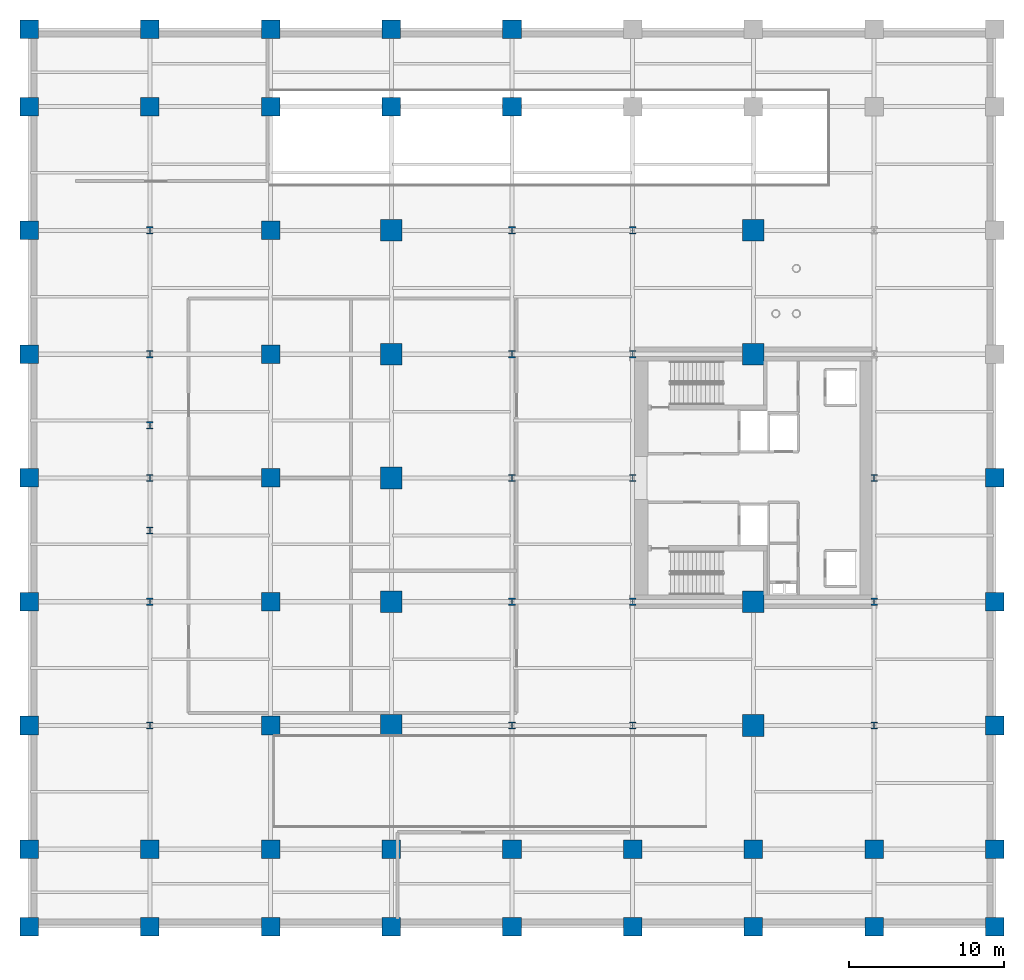
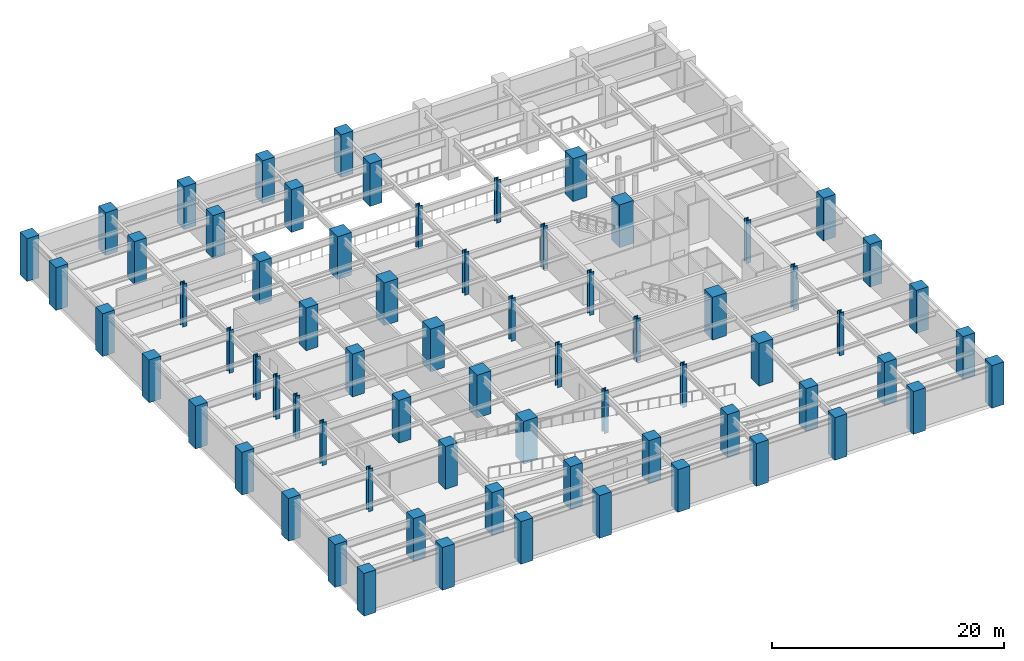
# One storey, part 1 of 10: 70 columns.
"""IFC4 building model written with IfcOpenShell, lengths in metres."""

from ifc_helpers import new_model, si_unit, direction, frame, origin, origin_2d, place, context, subcontext, project, spatial, rectangle, i_section, extrude, material, material_profile, profile_set, type_object, element, save


model = new_model("IFC4")

# Units and contexts
model_context = context("Model", 3, precision=1e-05, world=origin(), true_north=direction((0.0, 1.0)))
body_context = subcontext(model_context, "Body", "Model", "MODEL_VIEW")
ifc_project = project(units=[si_unit("LENGTHUNIT", "METRE"), si_unit("AREAUNIT", "SQUARE_METRE"), si_unit("VOLUMEUNIT", "CUBIC_METRE"), si_unit("PLANEANGLEUNIT", "RADIAN"), si_unit("MASSUNIT", "GRAM", prefix="KILO")], contexts=[model_context])

# Site, building, storey
site_placement = place(None, origin())
site = spatial("IfcSite", under=ifc_project, at=site_placement, CompositionType="ELEMENT")
building_placement = place(site_placement, origin())
building = spatial("IfcBuilding", under=site, at=building_placement, Name="Veymaron Broadcast Tower", CompositionType="ELEMENT")
storey_placement = place(building_placement, frame((0.0, 0.0, -4.5)))
storey = spatial("IfcBuildingStorey", under=building, at=storey_placement, Name="B1", CompositionType="ELEMENT", Elevation=-4.5)

# Columns
ifc_material_1 = material(Name="Structural steel ASTM A913 Gr 65", Category="steel")
ifc_material_profile_1 = material_profile(ifc_material_1, i_section(OverallWidth=0.424072265625, OverallDepth=0.47412109375, WebThickness=0.047607421875, FlangeThickness=0.076904296875, at=origin_2d()), Name="W360X634")
ifc_profile_set_1 = profile_set([ifc_material_profile_1], Name="Structural steel ASTM A913 Gr 65")
column_type_1 = type_object("IfcColumnType", Name="COL-MC1", PredefinedType="COLUMN", material=ifc_profile_set_1)
for number, where, z_axis, x_axis, name in (
    (1, (7.800048828125, 8.0, 0.0), (0.0, 0.0, 1.0), (1.0, 0.0, 0.0), "B1 column (7.8, 8.0)"),
    (2, (7.800048828125, 16.0, 0.0), (0.0, 0.0, 1.0), (1.0, 0.0, 0.0), "B1 column (7.8, 16.0)"),
    (3, (7.800048828125, 24.0, 0.0), (0.0, 0.0, 1.0), (1.0, 0.0, 0.0), "B1 column (7.8, 24.0)"),
    (4, (7.800048828125, 32.0, 0.0), (0.0, 0.0, 1.0), (1.0, 0.0, 0.0), "B1 column (7.8, 32.0)"),
    (5, (7.800048828125, 40.0, 0.0), (0.0, 0.0, 1.0), (1.0, 0.0, 0.0), "B1 column (7.8, 40.0)"),
    (6, (31.199951171875, 8.0, 0.0), (0.0, 0.0, 1.0), (1.0, 0.0, 0.0), "B1 column (31.2, 8.0)"),
    (7, (31.199951171875, 16.0, 0.0), (0.0, 0.0, 1.0), (1.0, 0.0, 0.0), "B1 column (31.2, 16.0)"),
    (8, (31.199951171875, 24.0, 0.0), (0.0, 0.0, 1.0), (1.0, 0.0, 0.0), "B1 column (31.2, 24.0)"),
    (9, (31.199951171875, 32.0, 0.0), (0.0, 0.0, 1.0), (1.0, 0.0, 0.0), "B1 column (31.2, 32.0)"),
    (10, (31.199951171875, 40.0, 0.0), (0.0, 0.0, 1.0), (1.0, 0.0, 0.0), "B1 column (31.2, 40.0)"),
    (11, (39.0, 8.0, 0.0), (0.0, 0.0, 1.0), (1.0, 0.0, 0.0), "B1 column (39.0, 8.0)"),
    (12, (39.0, 16.0, 0.0), (0.0, 0.0, 1.0), (1.0, 0.0, 0.0), "B1 column (39.0, 16.0)"),
    (13, (39.0, 24.0, 0.0), (0.0, 0.0, 1.0), (1.0, 0.0, 0.0), "B1 column (39.0, 24.0)"),
    (14, (39.0, 32.0, 0.0), (0.0, 0.0, 1.0), (1.0, 0.0, 0.0), "B1 column (39.0, 32.0)"),
    (15, (39.0, 40.0, 0.0), (0.0, 0.0, 1.0), (1.0, 0.0, 0.0), "B1 column (39.0, 40.0)"),
    (16, (54.60009765625, 8.0, 0.0), (0.0, 0.0, 1.0), (1.0, 0.0, 0.0), "B1 column (54.6, 8.0)"),
    (17, (54.60009765625, 16.0, 0.0), (0.0, 0.0, 1.0), (1.0, 0.0, 0.0), "B1 column (54.6, 16.0)"),
    (18, (54.60009765625, 24.0, 0.0), (0.0, 0.0, 1.0), (1.0, 0.0, 0.0), "B1 column (54.6, 24.0)"),
):
    element("IfcColumn", number, at=place(storey_placement, frame(where, z_axis=z_axis, x_axis=x_axis)), inside=storey, type_object=column_type_1, Name=name, PredefinedType="COLUMN", context=body_context, shape_type="SweptSolid", body=[
        extrude(i_section(OverallWidth=0.424072265625, OverallDepth=0.47412109375, WebThickness=0.047607421875, FlangeThickness=0.076904296875, at=origin_2d()), origin(), (0.0, 0.0, 1.0), 4.4951171875),
    ])
for number, where, z_axis, x_axis, name in (
    (19, (7.800048828125, 20.60009765625, 0.0), (0.0, 0.0, 1.0), (1.0, 0.0, 0.0), "B1 Mega Column podium base"),
    (20, (7.800048828125, 27.39990234375, 0.0), (0.0, 0.0, 1.0), (1.0, 0.0, 0.0), "B1 Mega Column podium base"),
):
    element("IfcColumn", number, at=place(storey_placement, frame(where, z_axis=z_axis, x_axis=x_axis)), inside=storey, type_object=column_type_1, Name=name, PredefinedType="COLUMN", context=body_context, shape_type="SweptSolid", body=[
        extrude(i_section(OverallWidth=0.424072265625, OverallDepth=0.47412109375, WebThickness=0.047607421875, FlangeThickness=0.076904296875, at=origin_2d()), origin(), (0.0, 0.0, 1.0), 4.493896484375),
    ])
ifc_material_2 = material(Name="Concrete C70/85", Category="concrete")
ifc_material_profile_2 = material_profile(ifc_material_2, rectangle(XDim=1.39990234375, YDim=1.39990234375, at=origin_2d()), Name="RC1400X1400")
ifc_profile_set_2 = profile_set([ifc_material_profile_2], Name="Concrete C70/85")
column_type_2 = type_object("IfcColumnType", Name="COL-RC1", PredefinedType="COLUMN", material=ifc_profile_set_2)
for number, where, z_axis, x_axis, name in (
    (21, (23.39990234375, 8.0, 0.0), (0.0, 0.0, 1.0), (1.0, 0.0, 0.0), "B1 column (23.4, 8.0)"),
    (22, (23.39990234375, 16.0, 0.0), (0.0, 0.0, 1.0), (1.0, 0.0, 0.0), "B1 column (23.4, 16.0)"),
    (23, (23.39990234375, 24.0, 0.0), (0.0, 0.0, 1.0), (1.0, 0.0, 0.0), "B1 column (23.4, 24.0)"),
    (24, (23.39990234375, 32.0, 0.0), (0.0, 0.0, 1.0), (1.0, 0.0, 0.0), "B1 column (23.4, 32.0)"),
    (25, (23.39990234375, 40.0, 0.0), (0.0, 0.0, 1.0), (1.0, 0.0, 0.0), "B1 column (23.4, 40.0)"),
    (26, (46.800048828125, 8.0, 0.0), (0.0, 0.0, 1.0), (1.0, 0.0, 0.0), "B1 column (46.8, 8.0)"),
    (27, (46.800048828125, 16.0, 0.0), (0.0, 0.0, 1.0), (1.0, 0.0, 0.0), "B1 column (46.8, 16.0)"),
    (28, (46.800048828125, 32.0, 0.0), (0.0, 0.0, 1.0), (1.0, 0.0, 0.0), "B1 column (46.8, 32.0)"),
    (29, (46.800048828125, 40.0, 0.0), (0.0, 0.0, 1.0), (1.0, 0.0, 0.0), "B1 column (46.8, 40.0)"),
):
    element("IfcColumn", number, at=place(storey_placement, frame(where, z_axis=z_axis, x_axis=x_axis)), inside=storey, type_object=column_type_2, Name=name, PredefinedType="COLUMN", context=body_context, shape_type="SweptSolid", body=[
        extrude(rectangle(XDim=1.39990234375, YDim=1.39990234375, at=origin_2d()), origin(), (0.0, 0.0, 1.0), 4.4951171875),
    ])
ifc_material_3 = material(Name="Concrete C60/75", Category="concrete")
ifc_material_profile_3 = material_profile(ifc_material_3, rectangle(XDim=1.199951171875, YDim=1.199951171875, at=origin_2d()), Name="RC1200X1200")
ifc_profile_set_3 = profile_set([ifc_material_profile_3], Name="Concrete C60/75")
column_type_3 = type_object("IfcColumnType", Name="COL-RC2", PredefinedType="COLUMN", material=ifc_profile_set_3)
for number, where, z_axis, x_axis, name in (
    (30, (0.0, -5.0, 0.0), (0.0, 0.0, 1.0), (1.0, 0.0, 0.0), "B1 column (0.0, -5.0)"),
    (31, (0.0, 0.0, 0.0), (0.0, 0.0, 1.0), (1.0, 0.0, 0.0), "B1 column (0.0, 0.0)"),
    (32, (0.0, 8.0, 0.0), (0.0, 0.0, 1.0), (1.0, 0.0, 0.0), "B1 column (0.0, 8.0)"),
    (33, (0.0, 16.0, 0.0), (0.0, 0.0, 1.0), (1.0, 0.0, 0.0), "B1 column (0.0, 16.0)"),
    (34, (0.0, 24.0, 0.0), (0.0, 0.0, 1.0), (1.0, 0.0, 0.0), "B1 column (0.0, 24.0)"),
    (35, (0.0, 32.0, 0.0), (0.0, 0.0, 1.0), (1.0, 0.0, 0.0), "B1 column (0.0, 32.0)"),
    (36, (0.0, 40.0, 0.0), (0.0, 0.0, 1.0), (1.0, 0.0, 0.0), "B1 column (0.0, 40.0)"),
    (37, (0.0, 48.0, 0.0), (0.0, 0.0, 1.0), (1.0, 0.0, 0.0), "B1 column (0.0, 48.0)"),
    (38, (0.0, 53.0, 0.0), (0.0, 0.0, 1.0), (1.0, 0.0, 0.0), "B1 column (0.0, 53.0)"),
    (39, (7.800048828125, -5.0, 0.0), (0.0, 0.0, 1.0), (1.0, 0.0, 0.0), "B1 column (7.8, -5.0)"),
    (40, (7.800048828125, 0.0, 0.0), (0.0, 0.0, 1.0), (1.0, 0.0, 0.0), "B1 column (7.8, 0.0)"),
    (41, (7.800048828125, 48.0, 0.0), (0.0, 0.0, 1.0), (1.0, 0.0, 0.0), "B1 column (7.8, 48.0)"),
    (42, (7.800048828125, 53.0, 0.0), (0.0, 0.0, 1.0), (1.0, 0.0, 0.0), "B1 column (7.8, 53.0)"),
    (43, (15.60009765625, -5.0, 0.0), (0.0, 0.0, 1.0), (1.0, 0.0, 0.0), "B1 column (15.6, -5.0)"),
    (44, (15.60009765625, 0.0, 0.0), (0.0, 0.0, 1.0), (1.0, 0.0, 0.0), "B1 column (15.6, 0.0)"),
    (45, (15.60009765625, 8.0, 0.0), (0.0, 0.0, 1.0), (1.0, 0.0, 0.0), "B1 column (15.6, 8.0)"),
    (46, (15.60009765625, 16.0, 0.0), (0.0, 0.0, 1.0), (1.0, 0.0, 0.0), "B1 column (15.6, 16.0)"),
    (47, (15.60009765625, 24.0, 0.0), (0.0, 0.0, 1.0), (1.0, 0.0, 0.0), "B1 column (15.6, 24.0)"),
    (48, (15.60009765625, 32.0, 0.0), (0.0, 0.0, 1.0), (1.0, 0.0, 0.0), "B1 column (15.6, 32.0)"),
    (49, (15.60009765625, 40.0, 0.0), (0.0, 0.0, 1.0), (1.0, 0.0, 0.0), "B1 column (15.6, 40.0)"),
    (50, (15.60009765625, 48.0, 0.0), (0.0, 0.0, 1.0), (1.0, 0.0, 0.0), "B1 column (15.6, 48.0)"),
    (51, (15.60009765625, 53.0, 0.0), (0.0, 0.0, 1.0), (1.0, 0.0, 0.0), "B1 column (15.6, 53.0)"),
    (52, (23.39990234375, -5.0, 0.0), (0.0, 0.0, 1.0), (1.0, 0.0, 0.0), "B1 column (23.4, -5.0)"),
    (53, (23.39990234375, 0.0, 0.0), (0.0, 0.0, 1.0), (1.0, 0.0, 0.0), "B1 column (23.4, 0.0)"),
    (54, (23.39990234375, 48.0, 0.0), (0.0, 0.0, 1.0), (1.0, 0.0, 0.0), "B1 column (23.4, 48.0)"),
    (55, (23.39990234375, 53.0, 0.0), (0.0, 0.0, 1.0), (1.0, 0.0, 0.0), "B1 column (23.4, 53.0)"),
    (56, (31.199951171875, -5.0, 0.0), (0.0, 0.0, 1.0), (1.0, 0.0, 0.0), "B1 column (31.2, -5.0)"),
    (57, (31.199951171875, 0.0, 0.0), (0.0, 0.0, 1.0), (1.0, 0.0, 0.0), "B1 column (31.2, 0.0)"),
    (58, (31.199951171875, 48.0, 0.0), (0.0, 0.0, 1.0), (1.0, 0.0, 0.0), "B1 column (31.2, 48.0)"),
    (59, (31.199951171875, 53.0, 0.0), (0.0, 0.0, 1.0), (1.0, 0.0, 0.0), "B1 column (31.2, 53.0)"),
    (60, (39.0, -5.0, 0.0), (0.0, 0.0, 1.0), (1.0, 0.0, 0.0), "B1 column (39.0, -5.0)"),
    (61, (39.0, 0.0, 0.0), (0.0, 0.0, 1.0), (1.0, 0.0, 0.0), "B1 column (39.0, 0.0)"),
    (62, (46.800048828125, -5.0, 0.0), (0.0, 0.0, 1.0), (1.0, 0.0, 0.0), "B1 column (46.8, -5.0)"),
    (63, (46.800048828125, 0.0, 0.0), (0.0, 0.0, 1.0), (1.0, 0.0, 0.0), "B1 column (46.8, 0.0)"),
    (64, (54.60009765625, -5.0, 0.0), (0.0, 0.0, 1.0), (1.0, 0.0, 0.0), "B1 column (54.6, -5.0)"),
    (65, (54.60009765625, 0.0, 0.0), (0.0, 0.0, 1.0), (1.0, 0.0, 0.0), "B1 column (54.6, 0.0)"),
    (66, (62.39990234375, -5.0, 0.0), (0.0, 0.0, 1.0), (1.0, 0.0, 0.0), "B1 column (62.4, -5.0)"),
    (67, (62.39990234375, 0.0, 0.0), (0.0, 0.0, 1.0), (1.0, 0.0, 0.0), "B1 column (62.4, 0.0)"),
    (68, (62.39990234375, 8.0, 0.0), (0.0, 0.0, 1.0), (1.0, 0.0, 0.0), "B1 column (62.4, 8.0)"),
    (69, (62.39990234375, 16.0, 0.0), (0.0, 0.0, 1.0), (1.0, 0.0, 0.0), "B1 column (62.4, 16.0)"),
    (70, (62.39990234375, 24.0, 0.0), (0.0, 0.0, 1.0), (1.0, 0.0, 0.0), "B1 column (62.4, 24.0)"),
):
    element("IfcColumn", number, at=place(storey_placement, frame(where, z_axis=z_axis, x_axis=x_axis)), inside=storey, type_object=column_type_3, Name=name, PredefinedType="COLUMN", context=body_context, shape_type="SweptSolid", body=[
        extrude(rectangle(XDim=1.199951171875, YDim=1.199951171875, at=origin_2d()), origin(), (0.0, 0.0, 1.0), 4.4951171875),
    ])

save(model, "model.ifc")
